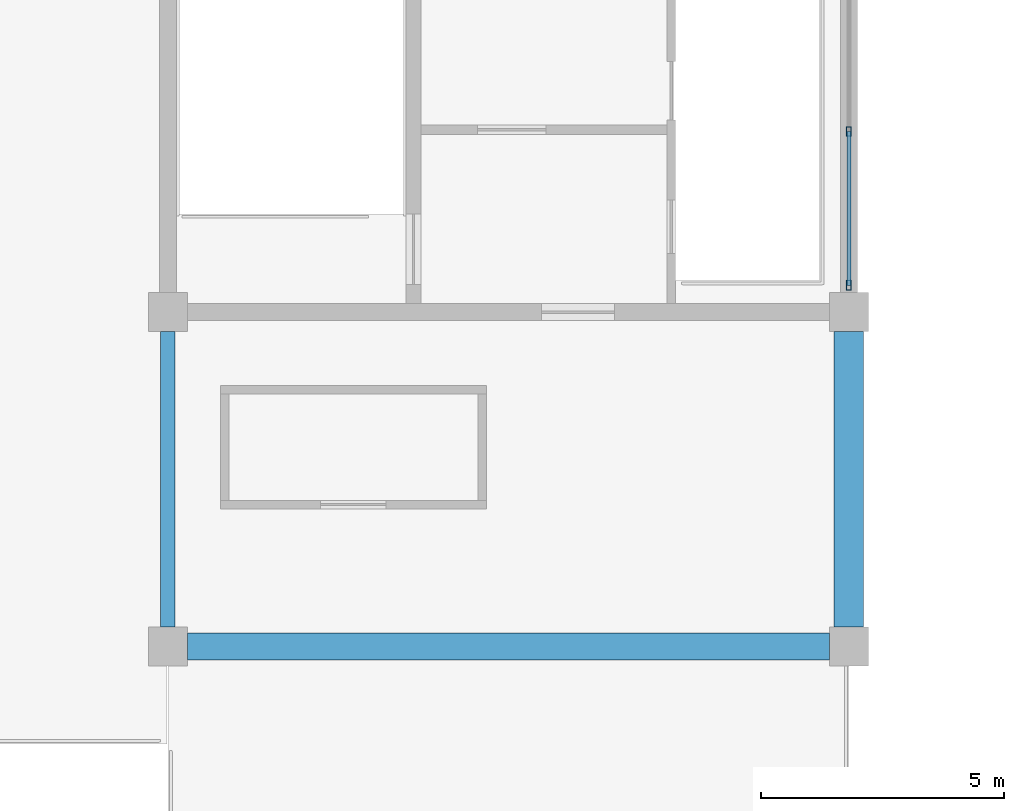
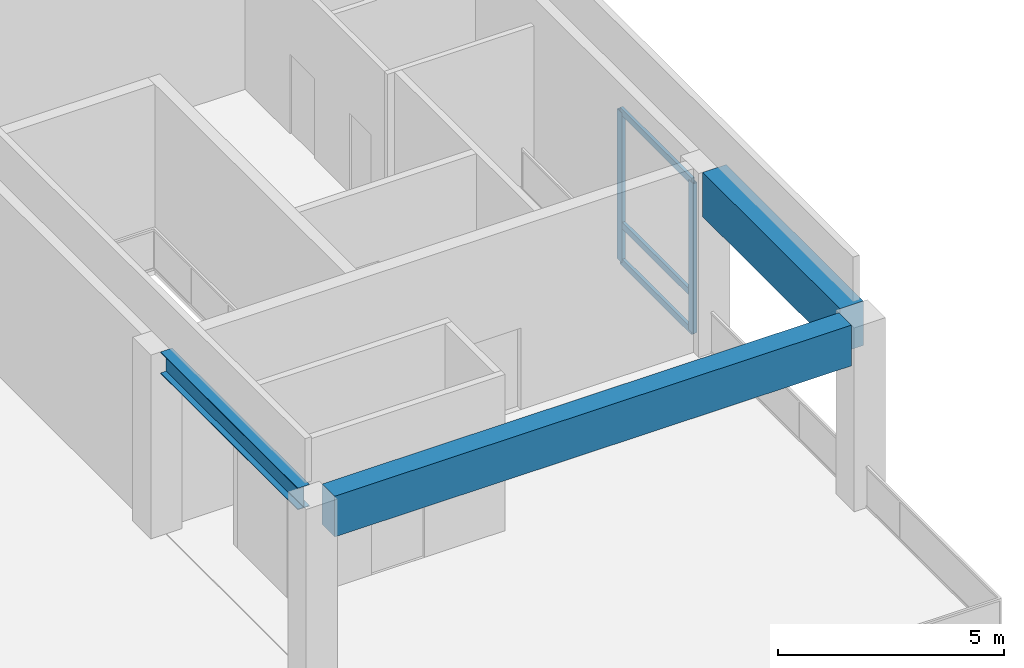
# One storey, part 14 of 113: 5 members, 3 beams, 1 element without a shape of its own.
"""IFC4 building model written with IfcOpenShell, lengths in metres."""

from ifc_helpers import new_model, si_unit, direction, frame, origin, origin_2d, place, context, subcontext, project, spatial, rectangle, hollow_rectangle, i_section, extrude, material, material_profile, profile_set, type_object, element, aggregate, save


model = new_model("IFC4")

# Units and contexts
model_context = context("Model", 3, precision=1e-05, world=origin(), true_north=direction((0.0, 1.0)))
body_context = subcontext(model_context, "Body", "Model", "MODEL_VIEW")
ifc_project = project(units=[si_unit("LENGTHUNIT", "METRE"), si_unit("AREAUNIT", "SQUARE_METRE"), si_unit("VOLUMEUNIT", "CUBIC_METRE"), si_unit("PLANEANGLEUNIT", "RADIAN"), si_unit("MASSUNIT", "GRAM", prefix="KILO")], contexts=[model_context])

# Site, building, storey
site_placement = place(None, origin())
site = spatial("IfcSite", under=ifc_project, at=site_placement, CompositionType="ELEMENT")
building_placement = place(site_placement, origin())
building = spatial("IfcBuilding", under=site, at=building_placement, Name="Linyun Crest Stadium", CompositionType="ELEMENT")
storey_placement = place(building_placement, frame((0.0, 0.0, 26.39990234375)))
storey = spatial("IfcBuildingStorey", under=building, at=storey_placement, Name="L06", CompositionType="ELEMENT", Elevation=26.39990234375)

# Beam
ifc_material_1 = material(Name="Steel Q355C", Category="steel")
ifc_material_profile_1 = material_profile(ifc_material_1, i_section(OverallWidth=0.300048828125, OverallDepth=0.587890625, WebThickness=0.011962890625, FlangeThickness=0.02001953125, at=origin_2d()), Name="HM 588x300")
ifc_profile_set_1 = profile_set([ifc_material_profile_1], Name="Steel Q355C")
beam_type_1 = type_object("IfcBeamType", Name="B09", PredefinedType="BEAM", material=ifc_profile_set_1)
beam_1_placement = place(storey_placement, frame((-84.0, -45.60009765625, 4.671142578125), z_axis=(0.0, 1.0, 0.0), x_axis=(-1.0, 0.0, 0.0)))
element("IfcBeam", 1, at=beam_1_placement, inside=storey, type_object=beam_type_1, Name="Frame beam B09 L06 372", PredefinedType="BEAM", context=body_context, shape_type="SweptSolid", body=[
    extrude(i_section(OverallWidth=0.300048828125, OverallDepth=0.587890625, WebThickness=0.011962890625, FlangeThickness=0.02001953125, at=origin_2d()), origin(), (0.0, 0.0, 1.0), 6.0751953125),
])

# Curtain wall, members
ifc_material_2 = material(Name="Verdigris steel and low-E curtain wall assembly", Category="steel")
curtain_wall_type = type_object("IfcCurtainWallType", Name="MCW06", PredefinedType="NOTDEFINED", material=ifc_material_2)
curtain_wall_placement = place(storey_placement, origin())
curtain_wall = element("IfcCurtainWall", 2, at=curtain_wall_placement, inside=storey, type_object=curtain_wall_type, Name="CWR-077", PredefinedType="NOTDEFINED")
ifc_material_3 = material(Name="Verdigris painted steel Q355C mullion", Category="steel")
ifc_material_profile_2 = material_profile(ifc_material_3, hollow_rectangle(XDim=0.10009765625, YDim=0.199951171875, WallThickness=0.008056640625, at=origin_2d()), Name="RHS 200x100x8")
ifc_profile_set_2 = profile_set([ifc_material_profile_2], Name="Verdigris painted steel Q355C mullion")
member_type_1 = type_object("IfcMemberType", Name="ML03", PredefinedType="MULLION", material=ifc_profile_set_2)
member_1_placement = place(storey_placement, frame((-70.0, -38.574951171875, 0.0), z_axis=(0.0, 0.0, 1.0), x_axis=(-1.0, 0.0, 0.0)))
member_1 = element("IfcMember", 3, at=member_1_placement, type_object=member_type_1, Name="CWR-077 mullion 1", PredefinedType="MULLION", context=body_context, shape_type="SweptSolid", body=[
    extrude(hollow_rectangle(XDim=0.10009765625, YDim=0.199951171875, WallThickness=0.008056640625, at=origin_2d()), origin(), (0.0, 0.0, 1.0), 4.050048828125),
])
member_2_placement = place(storey_placement, frame((-70.0, -35.412109375, 0.0), z_axis=(0.0, 0.0, 1.0), x_axis=(-1.0, 0.0, 0.0)))
member_2 = element("IfcMember", 4, at=member_2_placement, type_object=member_type_1, Name="CWR-077 mullion 2", PredefinedType="MULLION", context=body_context, shape_type="SweptSolid", body=[
    extrude(hollow_rectangle(XDim=0.10009765625, YDim=0.199951171875, WallThickness=0.008056640625, at=origin_2d()), origin(), (0.0, 0.0, 1.0), 4.050048828125),
])

# Beams
ifc_material_4 = material(Name="Concrete C50", Category="concrete")
ifc_material_profile_3 = material_profile(ifc_material_4, rectangle(XDim=0.550048828125, YDim=1.10009765625, at=origin_2d()), Name="RCB 1100x550")
ifc_profile_set_3 = profile_set([ifc_material_profile_3], Name="Concrete C50")
beam_type_2 = type_object("IfcBeamType", Name="TB01", PredefinedType="USERDEFINED", material=ifc_profile_set_3)
beam_2_placement = place(storey_placement, frame((-83.60009765625, -46.0, 4.4150390625), z_axis=(1.0, 0.0, 0.0), x_axis=(0.0, 1.0, 0.0)))
element("IfcBeam", 5, at=beam_2_placement, inside=storey, type_object=beam_type_2, Name="Frame beam TB01 L06 369", ObjectType="GIRDER", PredefinedType="USERDEFINED", context=body_context, shape_type="SweptSolid", body=[
    extrude(rectangle(XDim=0.550048828125, YDim=1.10009765625, at=origin_2d()), origin(), (0.0, 0.0, 1.0), 13.2001953125),
])
ifc_material_5 = material(Name="Concrete C50", Category="concrete")
ifc_material_profile_4 = material_profile(ifc_material_5, rectangle(XDim=0.60009765625, YDim=1.199951171875, at=origin_2d()), Name="RCB 1200x600")
ifc_profile_set_4 = profile_set([ifc_material_profile_4], Name="Concrete C50")
beam_type_3 = type_object("IfcBeamType", Name="TB02", PredefinedType="USERDEFINED", material=ifc_profile_set_4)
beam_3_placement = place(storey_placement, frame((-70.0, -45.60009765625, 4.364990234375), z_axis=(0.0, 1.0, 0.0), x_axis=(-1.0, 0.0, 0.0)))
element("IfcBeam", 6, at=beam_3_placement, inside=storey, type_object=beam_type_3, Name="Frame beam TB02 L06 376", ObjectType="GIRDER", PredefinedType="USERDEFINED", context=body_context, shape_type="SweptSolid", body=[
    extrude(rectangle(XDim=0.60009765625, YDim=1.199951171875, at=origin_2d()), origin(), (0.0, 0.0, 1.0), 6.0751953125),
])

# Member
ifc_material_6 = material(Name="Verdigris painted steel Q355B transom", Category="steel")
ifc_material_profile_5 = material_profile(ifc_material_6, hollow_rectangle(XDim=0.080078125, YDim=0.179931640625, WallThickness=0.006103515625, at=origin_2d()), Name="RHS 180x80x6")
ifc_profile_set_5 = profile_set([ifc_material_profile_5], Name="Verdigris painted steel Q355B transom")
member_type_2 = type_object("IfcMemberType", Name="TR02", PredefinedType="USERDEFINED", material=ifc_profile_set_5)
member_3_placement = place(storey_placement, frame((-70.0, -38.574951171875, 0.0), z_axis=(0.0, 1.0, 0.0), x_axis=(-1.0, 0.0, 0.0)))
member_3 = element("IfcMember", 7, at=member_3_placement, type_object=member_type_2, Name="CWR-077 transom 1.1", ObjectType="TRANSOM", PredefinedType="USERDEFINED", context=body_context, shape_type="SweptSolid", body=[
    extrude(hollow_rectangle(XDim=0.080078125, YDim=0.179931640625, WallThickness=0.006103515625, at=origin_2d()), origin(), (0.0, 0.0, 1.0), 3.162841796875),
])

member_4_placement = place(storey_placement, frame((-70.0, -38.574951171875, 1.0), z_axis=(0.0, 1.0, 0.0), x_axis=(-1.0, 0.0, 0.0)))
member_4 = element("IfcMember", 8, at=member_4_placement, type_object=member_type_2, Name="CWR-077 transom 1.2", ObjectType="TRANSOM", PredefinedType="USERDEFINED", context=body_context, shape_type="SweptSolid", body=[
    extrude(hollow_rectangle(XDim=0.080078125, YDim=0.179931640625, WallThickness=0.006103515625, at=origin_2d()), origin(), (0.0, 0.0, 1.0), 3.162841796875),
])

member_5_placement = place(storey_placement, frame((-70.0, -38.574951171875, 4.050048828125), z_axis=(0.0, 1.0, 0.0), x_axis=(-1.0, 0.0, 0.0)))
member_5 = element("IfcMember", 9, at=member_5_placement, type_object=member_type_2, Name="CWR-077 transom 1.3", ObjectType="TRANSOM", PredefinedType="USERDEFINED", context=body_context, shape_type="SweptSolid", body=[
    extrude(hollow_rectangle(XDim=0.080078125, YDim=0.179931640625, WallThickness=0.006103515625, at=origin_2d()), origin(), (0.0, 0.0, 1.0), 3.162841796875),
])

aggregate(curtain_wall, [member_1, member_2, member_3, member_4, member_5])

save(model, "model.ifc")
